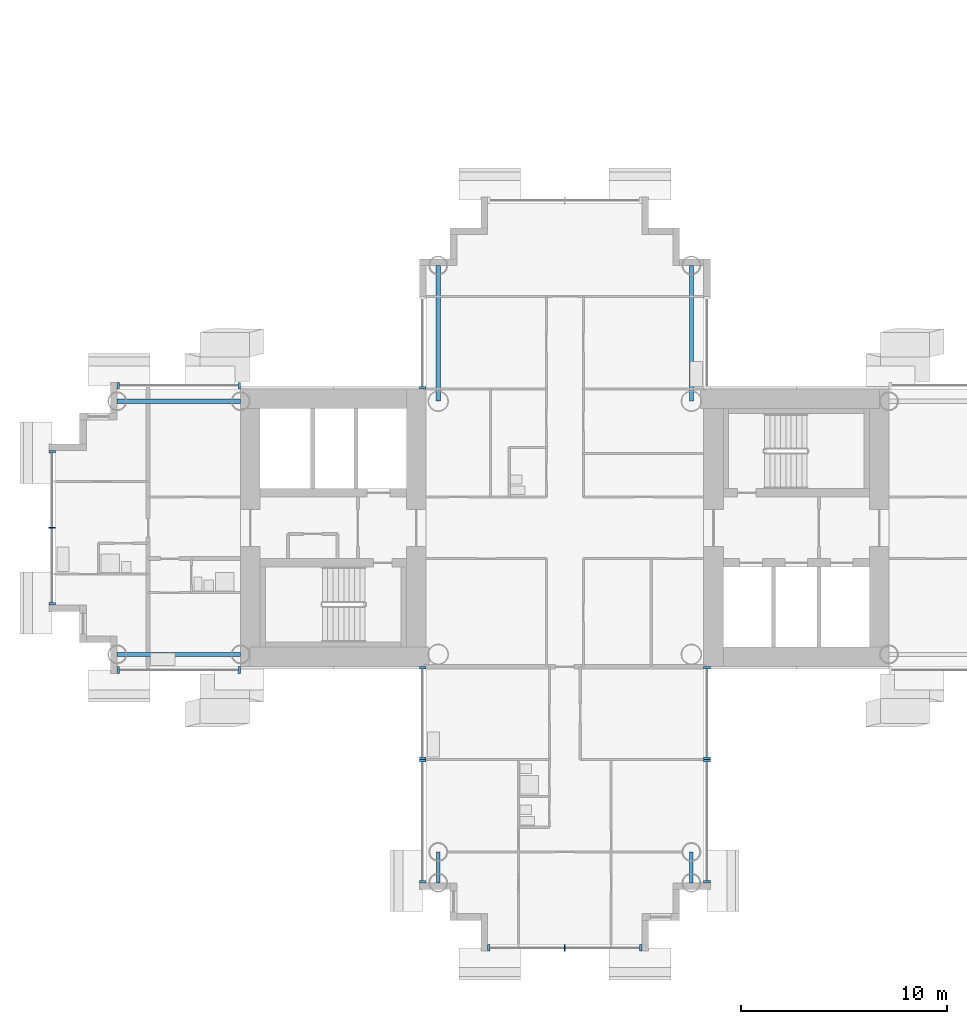
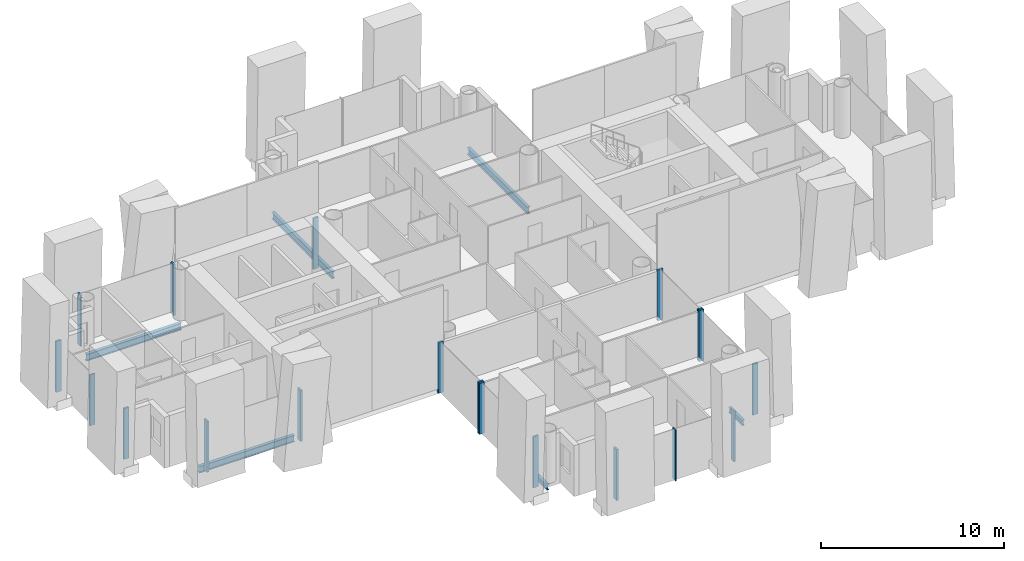
# One storey, part 3 of 21: 19 members, 6 beams, 9 elements without a shape of their own.
"""IFC4 building model written with IfcOpenShell, lengths in metres."""

from ifc_helpers import new_model, si_unit, direction, frame, origin, origin_2d, place, context, subcontext, project, spatial, rectangle, i_section, extrude, material, layer, layer_set, material_profile, profile_set, type_object, element, aggregate, save


model = new_model("IFC4")

# Units and contexts
model_context = context("Model", 3, precision=1e-05, world=origin(), true_north=direction((0.0, 1.0)))
body_context = subcontext(model_context, "Body", "Model", "MODEL_VIEW")
ifc_project = project(units=[si_unit("LENGTHUNIT", "METRE"), si_unit("AREAUNIT", "SQUARE_METRE"), si_unit("VOLUMEUNIT", "CUBIC_METRE"), si_unit("PLANEANGLEUNIT", "RADIAN"), si_unit("MASSUNIT", "GRAM", prefix="KILO")], contexts=[model_context])

# Site, building, storey
site_placement = place(None, origin())
site = spatial("IfcSite", under=ifc_project, at=site_placement, CompositionType="ELEMENT")
building_placement = place(site_placement, origin())
building = spatial("IfcBuilding", under=site, at=building_placement, Name="Ipe Terrace Towers", CompositionType="ELEMENT")
storey_placement = place(building_placement, frame((0.0, 0.0, 93.60009765625)))
storey = spatial("IfcBuildingStorey", under=building, at=storey_placement, Name="L25", CompositionType="ELEMENT", Elevation=93.60009765625)

# Beams
ifc_material_1 = material(Name="Steel S355", Category="steel")
ifc_material_profile_1 = material_profile(ifc_material_1, i_section(OverallWidth=0.175048828125, OverallDepth=0.35009765625, WebThickness=0.007080078125, FlangeThickness=0.010986328125, at=origin_2d()), Name="H-350x175x7x11")
ifc_profile_set_1 = profile_set([ifc_material_profile_1], Name="Steel S355")
beam_type_1 = type_object("IfcBeamType", Name="H04 EDGE BEAM H-350x175x7x11", PredefinedType="BEAM", material=ifc_profile_set_1)
for number, where, z_axis, x_axis, name in (
    (1, (-42.14990234375, -15.75, -0.5751953125), (0.0, -1.0, 0.0), (1.0, 0.0, 0.0), "Edge beam T1-EB-D03-D05"),
    (2, (-29.85009765625, -15.75, -0.5751953125), (0.0, -1.0, 0.0), (1.0, 0.0, 0.0), "Edge beam T1-EB-D04-D06"),
):
    element("IfcBeam", number, at=place(storey_placement, frame(where, z_axis=z_axis, x_axis=x_axis)), inside=storey, type_object=beam_type_1, Name=name, PredefinedType="BEAM", context=body_context, shape_type="SweptSolid", body=[
        extrude(i_section(OverallWidth=0.175048828125, OverallDepth=0.35009765625, WebThickness=0.007080078125, FlangeThickness=0.010986328125, at=origin_2d()), origin(), (0.0, 0.0, 1.0), 1.5),
    ])
ifc_material_2 = material(Name="Steel S355", Category="steel")
ifc_material_profile_2 = material_profile(ifc_material_2, i_section(OverallWidth=0.199951171875, OverallDepth=0.449951171875, WebThickness=0.009033203125, FlangeThickness=0.013916015625, at=origin_2d()), Name="H-450x200x9x14")
ifc_profile_set_2 = profile_set([ifc_material_profile_2], Name="Steel S355")
beam_type_2 = type_object("IfcBeamType", Name="H08 EDGE BEAM H-450x200x9x14", PredefinedType="BEAM", material=ifc_profile_set_2)
for number, where, z_axis, x_axis, name in (
    (3, (-29.85009765625, 12.75, -0.625), (0.0, -1.0, 0.0), (1.0, 0.0, 0.0), "Edge beam T1-EB-B01-E03"),
    (4, (-42.14990234375, 12.75, -0.625), (0.0, -1.0, 0.0), (1.0, 0.0, 0.0), "Edge beam T1-EB-B02-E04"),
):
    element("IfcBeam", number, at=place(storey_placement, frame(where, z_axis=z_axis, x_axis=x_axis)), inside=storey, type_object=beam_type_2, Name=name, PredefinedType="BEAM", context=body_context, shape_type="SweptSolid", body=[
        extrude(i_section(OverallWidth=0.199951171875, OverallDepth=0.449951171875, WebThickness=0.009033203125, FlangeThickness=0.013916015625, at=origin_2d()), origin(), (0.0, 0.0, 1.0), 6.60009765625),
    ])
for number, where, z_axis, x_axis, name in (
    (5, (-51.75, -6.14990234375, -0.625), (-1.0, 0.0, 0.0), (0.0, -1.0, 0.0), "Edge beam T1-EB-C01-C03"),
    (6, (-51.75, 6.14990234375, -0.625), (-1.0, 0.0, 0.0), (0.0, -1.0, 0.0), "Edge beam T1-EB-C02-C04"),
):
    element("IfcBeam", number, at=place(storey_placement, frame(where, z_axis=z_axis, x_axis=x_axis)), inside=storey, type_object=beam_type_2, Name=name, PredefinedType="BEAM", context=body_context, shape_type="SweptSolid", body=[
        extrude(i_section(OverallWidth=0.199951171875, OverallDepth=0.449951171875, WebThickness=0.009033203125, FlangeThickness=0.013916015625, at=origin_2d()), origin(), (0.0, 0.0, 1.0), 6.0),
    ])

# Curtain wall, members
ifc_material_3 = material(Name="Aluminium alloy 6063-T6", Category="aluminium")
ifc_layer = layer(ifc_material_3, 0.320068359375)
ifc_layer_set = layer_set([ifc_layer], Name="TOWER UNITISED CURTAIN WALL")
curtain_wall_type = type_object("IfcCurtainWallType", Name="TOWER UNITISED CURTAIN WALL", PredefinedType="NOTDEFINED", material=ifc_layer_set)
curtain_wall_1_placement = place(storey_placement, origin())
curtain_wall_1 = element("IfcCurtainWall", 7, at=curtain_wall_1_placement, inside=storey, type_object=curtain_wall_type, Name="T1-CW-L25-04a curtain wall", PredefinedType="NOTDEFINED")
ifc_material_4 = material(Name="Aluminium alloy 6063-T6", Category="aluminium")
ifc_material_profile_3 = material_profile(ifc_material_4, rectangle(XDim=0.320068359375, YDim=0.1201171875, at=origin_2d()), Name="TOWER UNITISED CORNER MULLION 320 x 120")
ifc_profile_set_3 = profile_set([ifc_material_profile_3], Name="Aluminium alloy 6063-T6")
member_type_1 = type_object("IfcMemberType", Name="TOWER UNITISED CORNER MULLION 320 x 120", PredefinedType="MULLION", material=ifc_profile_set_3)
member_1_placement = place(storey_placement, frame((-57.68994140625, -6.909912109375, -0.300048828125), z_axis=(0.0, 0.0, 1.0), x_axis=(0.0, -1.0, 0.0)))
member_1 = element("IfcMember", 8, at=member_1_placement, type_object=member_type_1, Name="T1-CW-L25-04a mullion 1", PredefinedType="MULLION", context=body_context, shape_type="SweptSolid", body=[
    extrude(rectangle(XDim=0.320068359375, YDim=0.1201171875, at=origin_2d()), origin(), (0.0, 0.0, 1.0), 3.39990234375),
])
member_2_placement = place(storey_placement, frame((-51.81103515625, -6.909912109375, -0.300048828125), z_axis=(0.0, 0.0, 1.0), x_axis=(0.0, -1.0, 0.0)))
member_2 = element("IfcMember", 9, at=member_2_placement, type_object=member_type_1, Name="T1-CW-L25-04a mullion 2", PredefinedType="MULLION", context=body_context, shape_type="SweptSolid", body=[
    extrude(rectangle(XDim=0.320068359375, YDim=0.1201171875, at=origin_2d()), origin(), (0.0, 0.0, 1.0), 3.39990234375),
])
aggregate(curtain_wall_1, [member_1, member_2])

curtain_wall_2_placement = place(storey_placement, origin())
curtain_wall_2 = element("IfcCurtainWall", 10, at=curtain_wall_2_placement, inside=storey, type_object=curtain_wall_type, Name="T1-CW-L25-06a curtain wall", PredefinedType="NOTDEFINED")
member_3_placement = place(storey_placement, frame((-42.909912109375, -6.81005859375, -0.300048828125), z_axis=(0.0, 0.0, 1.0), x_axis=(-1.0, 0.0, 0.0)))
member_3 = element("IfcMember", 11, at=member_3_placement, type_object=member_type_1, Name="T1-CW-L25-06a mullion 1", PredefinedType="MULLION", context=body_context, shape_type="SweptSolid", body=[
    extrude(rectangle(XDim=0.320068359375, YDim=0.1201171875, at=origin_2d()), origin(), (0.0, 0.0, 1.0), 3.39990234375),
])
member_4_placement = place(storey_placement, frame((-42.909912109375, -11.18994140625, -0.300048828125), z_axis=(0.0, 0.0, 1.0), x_axis=(-1.0, 0.0, 0.0)))
member_4 = element("IfcMember", 12, at=member_4_placement, type_object=member_type_1, Name="T1-CW-L25-06a mullion 2", PredefinedType="MULLION", context=body_context, shape_type="SweptSolid", body=[
    extrude(rectangle(XDim=0.320068359375, YDim=0.1201171875, at=origin_2d()), origin(), (0.0, 0.0, 1.0), 3.39990234375),
])
aggregate(curtain_wall_2, [member_3, member_4])

curtain_wall_3_placement = place(storey_placement, origin())
curtain_wall_3 = element("IfcCurtainWall", 13, at=curtain_wall_3_placement, inside=storey, type_object=curtain_wall_type, Name="T1-CW-L25-07a curtain wall", PredefinedType="NOTDEFINED")
member_5_placement = place(storey_placement, frame((-42.909912109375, -11.31005859375, -0.300048828125), z_axis=(0.0, 0.0, 1.0), x_axis=(-1.0, 0.0, 0.0)))
member_5 = element("IfcMember", 14, at=member_5_placement, type_object=member_type_1, Name="T1-CW-L25-07a mullion 1", PredefinedType="MULLION", context=body_context, shape_type="SweptSolid", body=[
    extrude(rectangle(XDim=0.320068359375, YDim=0.1201171875, at=origin_2d()), origin(), (0.0, 0.0, 1.0), 3.39990234375),
])
member_6_placement = place(storey_placement, frame((-42.909912109375, -17.18994140625, -0.300048828125), z_axis=(0.0, 0.0, 1.0), x_axis=(-1.0, 0.0, 0.0)))
member_6 = element("IfcMember", 15, at=member_6_placement, type_object=member_type_1, Name="T1-CW-L25-07a mullion 2", PredefinedType="MULLION", context=body_context, shape_type="SweptSolid", body=[
    extrude(rectangle(XDim=0.320068359375, YDim=0.1201171875, at=origin_2d()), origin(), (0.0, 0.0, 1.0), 3.39990234375),
])
aggregate(curtain_wall_3, [member_5, member_6])

curtain_wall_4_placement = place(storey_placement, origin())
curtain_wall_4 = element("IfcCurtainWall", 16, at=curtain_wall_4_placement, inside=storey, type_object=curtain_wall_type, Name="T1-CW-L25-12a curtain wall", PredefinedType="NOTDEFINED")
member_7_placement = place(storey_placement, frame((-39.68994140625, -20.409912109375, -0.300048828125), z_axis=(0.0, 0.0, 1.0), x_axis=(0.0, -1.0, 0.0)))
member_7 = element("IfcMember", 17, at=member_7_placement, type_object=member_type_1, Name="T1-CW-L25-12a mullion 1", PredefinedType="MULLION", context=body_context, shape_type="SweptSolid", body=[
    extrude(rectangle(XDim=0.320068359375, YDim=0.1201171875, at=origin_2d()), origin(), (0.0, 0.0, 1.0), 3.39990234375),
])
member_8_placement = place(storey_placement, frame((-32.31005859375, -20.409912109375, -0.300048828125), z_axis=(0.0, 0.0, 1.0), x_axis=(0.0, -1.0, 0.0)))
member_8 = element("IfcMember", 18, at=member_8_placement, type_object=member_type_1, Name="T1-CW-L25-12a mullion 3", PredefinedType="MULLION", context=body_context, shape_type="SweptSolid", body=[
    extrude(rectangle(XDim=0.320068359375, YDim=0.1201171875, at=origin_2d()), origin(), (0.0, 0.0, 1.0), 3.39990234375),
])

curtain_wall_5_placement = place(storey_placement, origin())
curtain_wall_5 = element("IfcCurtainWall", 19, at=curtain_wall_5_placement, inside=storey, type_object=curtain_wall_type, Name="T1-CW-L25-17a curtain wall", PredefinedType="NOTDEFINED")
member_9_placement = place(storey_placement, frame((-29.090087890625, -17.18994140625, -0.300048828125), z_axis=(0.0, 0.0, 1.0), x_axis=(1.0, 0.0, 0.0)))
member_9 = element("IfcMember", 20, at=member_9_placement, type_object=member_type_1, Name="T1-CW-L25-17a mullion 1", PredefinedType="MULLION", context=body_context, shape_type="SweptSolid", body=[
    extrude(rectangle(XDim=0.320068359375, YDim=0.1201171875, at=origin_2d()), origin(), (0.0, 0.0, 1.0), 3.39990234375),
])
member_10_placement = place(storey_placement, frame((-29.090087890625, -11.31005859375, -0.300048828125), z_axis=(0.0, 0.0, 1.0), x_axis=(1.0, 0.0, 0.0)))
member_10 = element("IfcMember", 21, at=member_10_placement, type_object=member_type_1, Name="T1-CW-L25-17a mullion 2", PredefinedType="MULLION", context=body_context, shape_type="SweptSolid", body=[
    extrude(rectangle(XDim=0.320068359375, YDim=0.1201171875, at=origin_2d()), origin(), (0.0, 0.0, 1.0), 3.39990234375),
])
aggregate(curtain_wall_5, [member_9, member_10])

curtain_wall_6_placement = place(storey_placement, origin())
curtain_wall_6 = element("IfcCurtainWall", 22, at=curtain_wall_6_placement, inside=storey, type_object=curtain_wall_type, Name="T1-CW-L25-18a curtain wall", PredefinedType="NOTDEFINED")
member_11_placement = place(storey_placement, frame((-29.090087890625, -11.18994140625, -0.300048828125), z_axis=(0.0, 0.0, 1.0), x_axis=(1.0, 0.0, 0.0)))
member_11 = element("IfcMember", 23, at=member_11_placement, type_object=member_type_1, Name="T1-CW-L25-18a mullion 1", PredefinedType="MULLION", context=body_context, shape_type="SweptSolid", body=[
    extrude(rectangle(XDim=0.320068359375, YDim=0.1201171875, at=origin_2d()), origin(), (0.0, 0.0, 1.0), 3.39990234375),
])
member_12_placement = place(storey_placement, frame((-29.090087890625, -6.81005859375, -0.300048828125), z_axis=(0.0, 0.0, 1.0), x_axis=(1.0, 0.0, 0.0)))
member_12 = element("IfcMember", 24, at=member_12_placement, type_object=member_type_1, Name="T1-CW-L25-18a mullion 2", PredefinedType="MULLION", context=body_context, shape_type="SweptSolid", body=[
    extrude(rectangle(XDim=0.320068359375, YDim=0.1201171875, at=origin_2d()), origin(), (0.0, 0.0, 1.0), 3.39990234375),
])
aggregate(curtain_wall_6, [member_11, member_12])

# Curtain wall, member
curtain_wall_7_placement = place(storey_placement, origin())
curtain_wall_7 = element("IfcCurtainWall", 25, at=curtain_wall_7_placement, inside=storey, type_object=curtain_wall_type, Name="T1-CW-L25-44a curtain wall", PredefinedType="NOTDEFINED")
member_13_placement = place(storey_placement, frame((-42.909912109375, 6.81005859375, -0.300048828125), z_axis=(0.0, 0.0, 1.0), x_axis=(-1.0, 0.0, 0.0)))
member_13 = element("IfcMember", 26, at=member_13_placement, type_object=member_type_1, Name="T1-CW-L25-44a mullion 2", PredefinedType="MULLION", context=body_context, shape_type="SweptSolid", body=[
    extrude(rectangle(XDim=0.320068359375, YDim=0.1201171875, at=origin_2d()), origin(), (0.0, 0.0, 1.0), 3.39990234375),
])
aggregate(curtain_wall_7, [member_13])

# Curtain wall, members
curtain_wall_8_placement = place(storey_placement, origin())
curtain_wall_8 = element("IfcCurtainWall", 27, at=curtain_wall_8_placement, inside=storey, type_object=curtain_wall_type, Name="T1-CW-L25-46b curtain wall", PredefinedType="NOTDEFINED")
member_14_placement = place(storey_placement, frame((-51.81103515625, 6.909912109375, -0.300048828125), z_axis=(0.0, 0.0, 1.0), x_axis=(0.0, 1.0, 0.0)))
member_14 = element("IfcMember", 28, at=member_14_placement, type_object=member_type_1, Name="T1-CW-L25-46b mullion 1", PredefinedType="MULLION", context=body_context, shape_type="SweptSolid", body=[
    extrude(rectangle(XDim=0.320068359375, YDim=0.1201171875, at=origin_2d()), origin(), (0.0, 0.0, 1.0), 3.39990234375),
])
member_15_placement = place(storey_placement, frame((-57.68994140625, 6.909912109375, -0.300048828125), z_axis=(0.0, 0.0, 1.0), x_axis=(0.0, 1.0, 0.0)))
member_15 = element("IfcMember", 29, at=member_15_placement, type_object=member_type_1, Name="T1-CW-L25-46b mullion 2", PredefinedType="MULLION", context=body_context, shape_type="SweptSolid", body=[
    extrude(rectangle(XDim=0.320068359375, YDim=0.1201171875, at=origin_2d()), origin(), (0.0, 0.0, 1.0), 3.39990234375),
])
aggregate(curtain_wall_8, [member_14, member_15])

curtain_wall_9_placement = place(storey_placement, origin())
curtain_wall_9 = element("IfcCurtainWall", 30, at=curtain_wall_9_placement, inside=storey, type_object=curtain_wall_type, Name="T1-CW-L25-51a curtain wall", PredefinedType="NOTDEFINED")
member_16_placement = place(storey_placement, frame((-60.909912109375, 3.68994140625, -0.300048828125), z_axis=(0.0, 0.0, 1.0), x_axis=(-1.0, 0.0, 0.0)))
member_16 = element("IfcMember", 31, at=member_16_placement, type_object=member_type_1, Name="T1-CW-L25-51a mullion 1", PredefinedType="MULLION", context=body_context, shape_type="SweptSolid", body=[
    extrude(rectangle(XDim=0.320068359375, YDim=0.1201171875, at=origin_2d()), origin(), (0.0, 0.0, 1.0), 3.39990234375),
])
member_17_placement = place(storey_placement, frame((-60.909912109375, -3.68994140625, -0.300048828125), z_axis=(0.0, 0.0, 1.0), x_axis=(-1.0, 0.0, 0.0)))
member_17 = element("IfcMember", 32, at=member_17_placement, type_object=member_type_1, Name="T1-CW-L25-51a mullion 3", PredefinedType="MULLION", context=body_context, shape_type="SweptSolid", body=[
    extrude(rectangle(XDim=0.320068359375, YDim=0.1201171875, at=origin_2d()), origin(), (0.0, 0.0, 1.0), 3.39990234375),
])

# Member
ifc_material_5 = material(Name="Aluminium alloy 6063-T6", Category="aluminium")
ifc_material_profile_4 = material_profile(ifc_material_5, rectangle(XDim=0.320068359375, YDim=0.06494140625, at=origin_2d()), Name="TOWER UNITISED MULLION 320 x 65")
ifc_profile_set_4 = profile_set([ifc_material_profile_4], Name="Aluminium alloy 6063-T6")
member_type_2 = type_object("IfcMemberType", Name="TOWER UNITISED MULLION 320 x 65", PredefinedType="MULLION", material=ifc_profile_set_4)
member_18_placement = place(storey_placement, frame((-36.0, -20.409912109375, -0.300048828125), z_axis=(0.0, 0.0, 1.0), x_axis=(0.0, -1.0, 0.0)))
member_18 = element("IfcMember", 33, at=member_18_placement, type_object=member_type_2, Name="T1-CW-L25-12a mullion 2", PredefinedType="MULLION", context=body_context, shape_type="SweptSolid", body=[
    extrude(rectangle(XDim=0.320068359375, YDim=0.06494140625, at=origin_2d()), origin(), (0.0, 0.0, 1.0), 3.39990234375),
])

aggregate(curtain_wall_4, [member_7, member_18, member_8])

member_19_placement = place(storey_placement, frame((-60.909912109375, 0.0, -0.300048828125), z_axis=(0.0, 0.0, 1.0), x_axis=(-1.0, 0.0, 0.0)))
member_19 = element("IfcMember", 34, at=member_19_placement, type_object=member_type_2, Name="T1-CW-L25-51a mullion 2", PredefinedType="MULLION", context=body_context, shape_type="SweptSolid", body=[
    extrude(rectangle(XDim=0.320068359375, YDim=0.06494140625, at=origin_2d()), origin(), (0.0, 0.0, 1.0), 3.39990234375),
])

aggregate(curtain_wall_9, [member_16, member_19, member_17])

save(model, "model.ifc")
